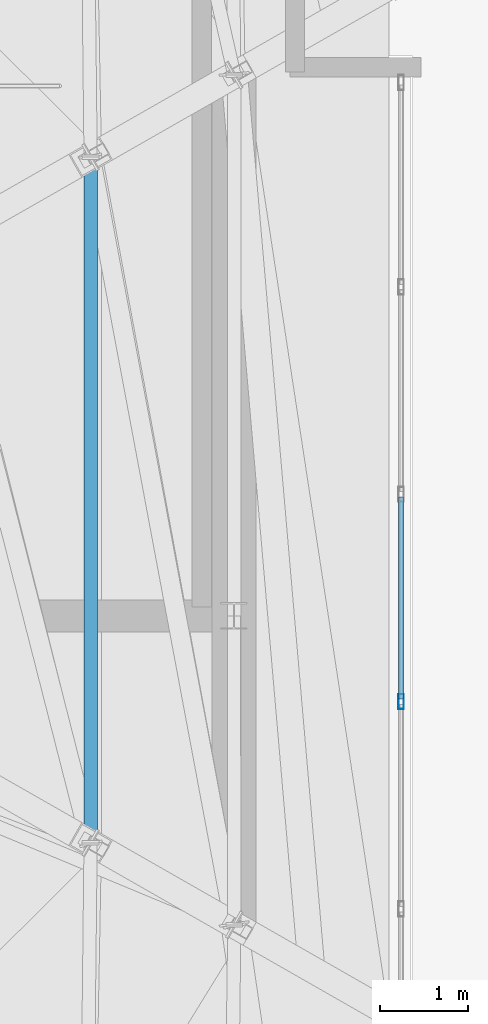
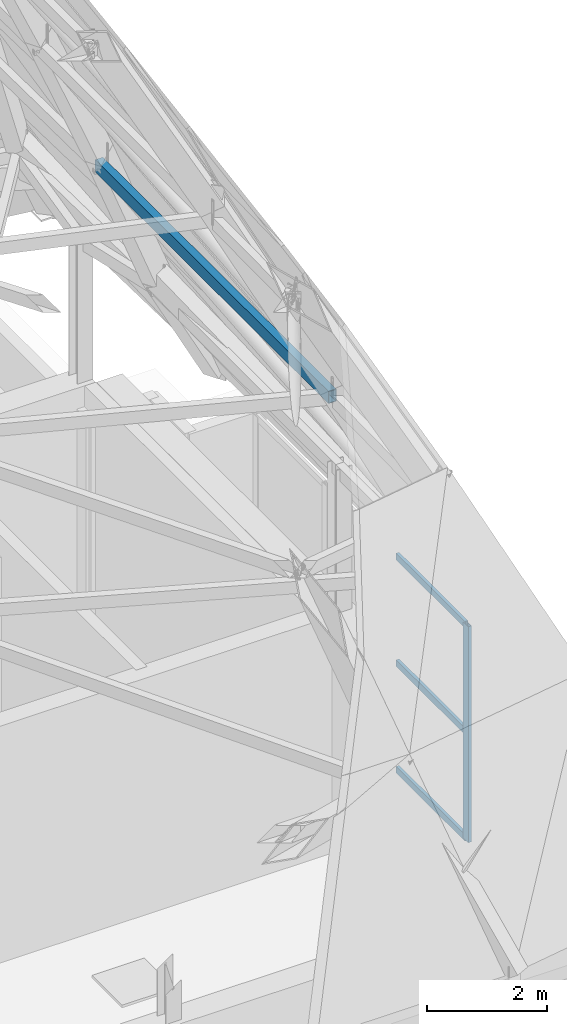
# One storey, part 11 of 30: 5 members, 1 element without a shape of its own.
"""IFC4 building model written with IfcOpenShell, lengths in metres."""

from ifc_helpers import new_model, si_unit, direction, frame, origin, origin_2d, place, context, subcontext, project, spatial, hollow_rectangle, extrude, material, layer, layer_set, material_profile, profile_set, type_object, element, aggregate, save


model = new_model("IFC4")

# Units and contexts
model_context = context("Model", 3, precision=1e-05, world=origin(), true_north=direction((0.0, 1.0)))
body_context = subcontext(model_context, "Body", "Model", "MODEL_VIEW")
ifc_project = project(units=[si_unit("LENGTHUNIT", "METRE"), si_unit("AREAUNIT", "SQUARE_METRE"), si_unit("VOLUMEUNIT", "CUBIC_METRE"), si_unit("PLANEANGLEUNIT", "RADIAN"), si_unit("MASSUNIT", "GRAM", prefix="KILO")], contexts=[model_context])

# Site, building, storey
site_placement = place(None, origin())
site = spatial("IfcSite", under=ifc_project, at=site_placement, CompositionType="ELEMENT")
building_placement = place(site_placement, origin())
building = spatial("IfcBuilding", under=site, at=building_placement, Name="Haolan Belvedere Tower", CompositionType="ELEMENT")
storey_placement = place(building_placement, frame((0.0, 0.0, 333.0)))
storey = spatial("IfcBuildingStorey", under=building, at=storey_placement, Name="L83", CompositionType="ELEMENT", Elevation=333.0)

# Curtain wall, members
ifc_material_1 = material(Name="Anodised champagne-silver aluminium 6063-T6 and Low-E glass", Category="aluminium")
ifc_layer = layer(ifc_material_1, 0.172119140625, Name="Anodised champagne-silver aluminium 6063-T6 and Low-E glass")
ifc_layer_set = layer_set([ifc_layer], Name="Anodised champagne-silver aluminium 6063-T6 and Low-E glass")
curtain_wall_type = type_object("IfcCurtainWallType", Name="CW-SYS-07", PredefinedType="NOTDEFINED", material=ifc_layer_set)
curtain_wall_placement = place(storey_placement, origin())
curtain_wall = element("IfcCurtainWall", 1, at=curtain_wall_placement, inside=storey, type_object=curtain_wall_type, Name="L83 CW-SYS-07 ribbon curtain wall 4.1", PredefinedType="NOTDEFINED")
ifc_material_2 = material(Name="Anodised aluminium 6063-T6", Category="aluminium")
ifc_material_profile_1 = material_profile(ifc_material_2, hollow_rectangle(XDim=0.06201171875, YDim=0.172119140625, WallThickness=0.00390625, at=origin_2d()), Name="Anodised aluminium 6063-T6")
ifc_profile_set_1 = profile_set([ifc_material_profile_1], Name="Anodised aluminium 6063-T6")
member_type_1 = type_object("IfcMemberType", Name="CW-SYS-07-MUL", PredefinedType="MULLION", material=ifc_profile_set_1)
member_1_placement = place(storey_placement, frame((48.68994140625, 34.321044921875, 0.0), z_axis=(0.0, 0.0, 1.0), x_axis=(-1.0, 0.0, 0.0)))
member_1 = element("IfcMember", 2, at=member_1_placement, type_object=member_type_1, Name="CW-07 mullion 5", PredefinedType="MULLION", context=body_context, shape_type="SweptSolid", body=[
    extrude(hollow_rectangle(XDim=0.06201171875, YDim=0.172119140625, WallThickness=0.00390625, at=origin_2d()), origin(), (0.0, 0.0, 1.0), 4.3798828125),
])
ifc_material_profile_2 = material_profile(ifc_material_2, hollow_rectangle(XDim=0.05810546875, YDim=0.135009765625, WallThickness=0.00390625, at=origin_2d()), Name="Anodised aluminium 6063-T6")
ifc_profile_set_2 = profile_set([ifc_material_profile_2], Name="Anodised aluminium 6063-T6")
member_type_2 = type_object("IfcMemberType", Name="CW-SYS-07-TRN", PredefinedType="USERDEFINED", material=ifc_profile_set_2)
member_2_placement = place(storey_placement, frame((48.68994140625, 34.35205078125, 0.029052734375), z_axis=(0.0, 1.0, 0.0), x_axis=(-1.0, 0.0, 0.0)))
member_2 = element("IfcMember", 3, at=member_2_placement, type_object=member_type_2, Name="CW-07 transom 5.1", ObjectType="TRANSOM", PredefinedType="USERDEFINED", context=body_context, shape_type="SweptSolid", body=[
    extrude(hollow_rectangle(XDim=0.05810546875, YDim=0.135009765625, WallThickness=0.00390625, at=origin_2d()), origin(), (0.0, 0.0, 1.0), 2.281005859375),
])
member_3_placement = place(storey_placement, frame((48.68994140625, 34.35205078125, 2.18994140625), z_axis=(0.0, 1.0, 0.0), x_axis=(-1.0, 0.0, 0.0)))
member_3 = element("IfcMember", 4, at=member_3_placement, type_object=member_type_2, Name="CW-07 transom 5.2", ObjectType="TRANSOM", PredefinedType="USERDEFINED", context=body_context, shape_type="SweptSolid", body=[
    extrude(hollow_rectangle(XDim=0.05810546875, YDim=0.135009765625, WallThickness=0.00390625, at=origin_2d()), origin(), (0.0, 0.0, 1.0), 2.281005859375),
])
member_4_placement = place(storey_placement, frame((48.68994140625, 34.35205078125, 4.35107421875), z_axis=(0.0, 1.0, 0.0), x_axis=(-1.0, 0.0, 0.0)))
member_4 = element("IfcMember", 5, at=member_4_placement, type_object=member_type_2, Name="CW-07 transom 5.3", ObjectType="TRANSOM", PredefinedType="USERDEFINED", context=body_context, shape_type="SweptSolid", body=[
    extrude(hollow_rectangle(XDim=0.05810546875, YDim=0.135009765625, WallThickness=0.00390625, at=origin_2d()), origin(), (0.0, 0.0, 1.0), 2.281005859375),
])
aggregate(curtain_wall, [member_1, member_2, member_3, member_4])

# Member
ifc_material_3 = material(Name="Steel Q355B", Category="steel")
ifc_material_profile_3 = material_profile(ifc_material_3, hollow_rectangle(XDim=0.14990234375, YDim=0.25, WallThickness=0.010009765625, at=origin_2d()), Name="Steel Q355B")
ifc_profile_set_3 = profile_set([ifc_material_profile_3], Name="Steel Q355B")
member_type_3 = type_object("IfcMemberType", Name="MEM-RHS250x150x10", PredefinedType="PURLIN", material=ifc_profile_set_3)
member_5_placement = place(storey_placement, frame((45.180419921875, 32.7255859375, 11.1904296875), z_axis=(0.0, 1.0, 0.0), x_axis=(-1.0, 0.0, 0.0)))
element("IfcMember", 6, at=member_5_placement, inside=storey, type_object=member_type_3, Name="Crown frame horizontal ring purlin T2-05", PredefinedType="PURLIN", context=body_context, shape_type="SweptSolid", body=[
    extrude(hollow_rectangle(XDim=0.14990234375, YDim=0.25, WallThickness=0.010009765625, at=origin_2d()), origin(), (0.0, 0.0, 1.0), 7.7490234375),
])

save(model, "model.ifc")
